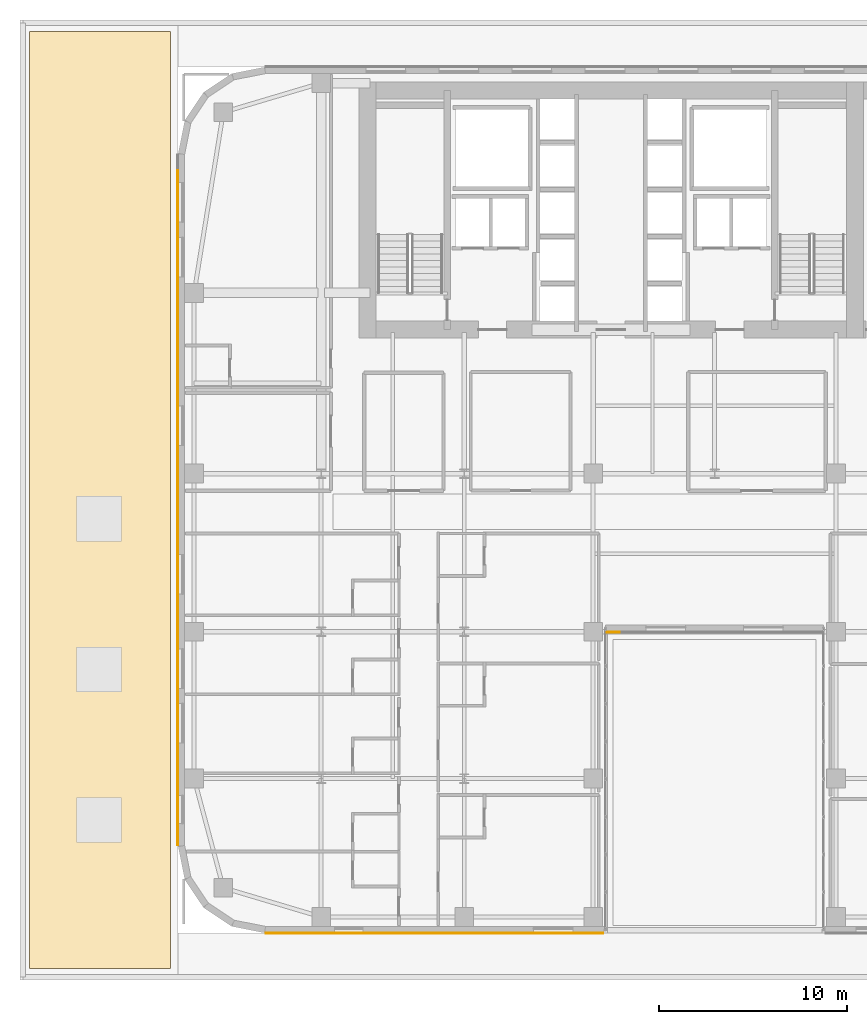
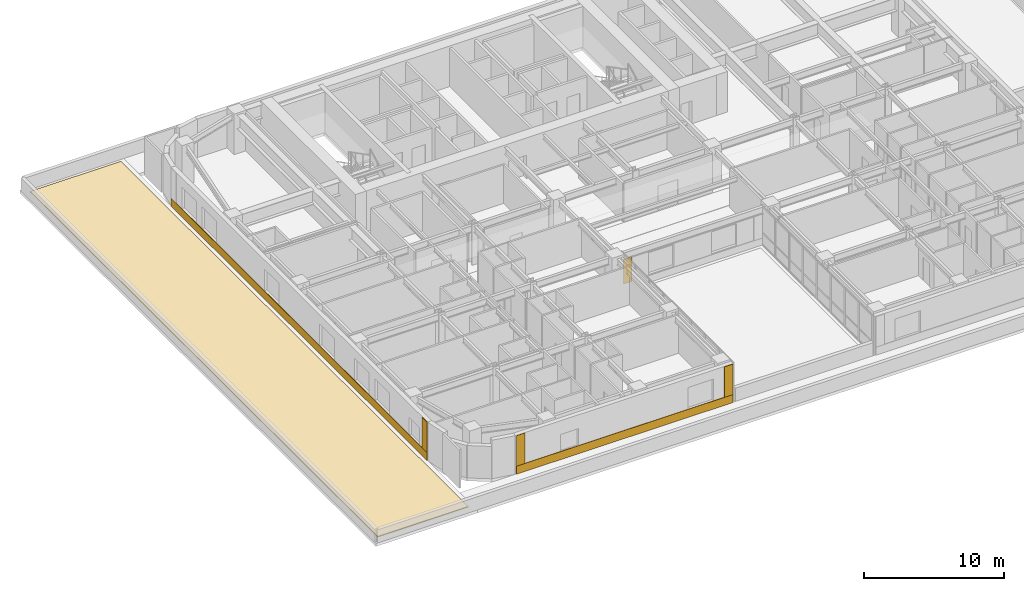
# One storey, part 20 of 25: 7 coverings.
"""IFC4 building model written with IfcOpenShell, lengths in metres."""

from ifc_helpers import new_model, si_unit, direction, frame, origin, place, context, subcontext, project, spatial, polyline, outline, extrude, material, layer, layer_set, type_object, element, save


model = new_model("IFC4")

# Units and contexts
model_context = context("Model", 3, precision=1e-05, world=origin(), true_north=direction((0.0, 1.0)))
body_context = subcontext(model_context, "Body", "Model", "MODEL_VIEW")
ifc_project = project(units=[si_unit("LENGTHUNIT", "METRE"), si_unit("AREAUNIT", "SQUARE_METRE"), si_unit("VOLUMEUNIT", "CUBIC_METRE"), si_unit("PLANEANGLEUNIT", "RADIAN"), si_unit("MASSUNIT", "GRAM", prefix="KILO")], contexts=[model_context])

# Site, building, storey
site_placement = place(None, origin())
site = spatial("IfcSite", under=ifc_project, at=site_placement, CompositionType="ELEMENT")
building_placement = place(site_placement, origin())
building = spatial("IfcBuilding", under=site, at=building_placement, Name="Tolvann Quenvar Hotel", CompositionType="ELEMENT")
storey_placement = place(building_placement, frame((0.0, 0.0, 32.0)))
storey = spatial("IfcBuildingStorey", under=building, at=storey_placement, Name="L06", CompositionType="ELEMENT", Elevation=32.0)

# Coverings
ifc_material_1 = material(Name="Kiln-fired red architectural face brick cladding", Category="masonry")
ifc_layer_1 = layer(ifc_material_1, 0.0400390625)
ifc_layer_set_1 = layer_set([ifc_layer_1], Name="Kiln-fired red architectural face brick cladding")
covering_type_1 = type_object("IfcCoveringType", Name="COV_CLAD_BRICK_40", PredefinedType="CLADDING", material=ifc_layer_set_1)
covering_1_placement = place(storey_placement, frame((0.0, 0.0, 0.699951171875)))
element("IfcCovering", 1, at=covering_1_placement, inside=storey, type_object=covering_type_1, Name="Brick Pier Cladding (L06-E04-P1)", PredefinedType="CLADDING", context=body_context, shape_type="SweptSolid", body=[
    extrude(outline(polyline([(4.667236328125, 0.0), (5.3671875, 0.0), (5.3671875, -0.0400390625), (4.667236328125, -0.0400390625), (4.667236328125, 0.0)])), origin(), (0.0, 0.0, 1.0), 2.670166015625),
])
covering_2_placement = place(storey_placement, frame((0.0, 0.0, 0.699951171875)))
element("IfcCovering", 2, at=covering_2_placement, inside=storey, type_object=covering_type_1, Name="Brick Pier Cladding (L06-E04-P2)", PredefinedType="CLADDING", context=body_context, shape_type="SweptSolid", body=[
    extrude(outline(polyline([(21.875, 0.0), (22.574951171875, 0.0), (22.574951171875, -0.0400390625), (21.875, -0.0400390625), (21.875, 0.0)])), origin(), (0.0, 0.0, 1.0), 2.670166015625),
])
covering_3_placement = place(storey_placement, frame((0.0, 0.0, 0.6044921875)))
element("IfcCovering", 3, at=covering_3_placement, inside=storey, type_object=covering_type_1, Name="Brick Pier Cladding (L06-E06-P1)", PredefinedType="CLADDING", context=body_context, shape_type="SweptSolid", body=[
    extrude(outline(polyline([(22.760009765625, 16.0), (23.4599609375, 16.0), (23.4599609375, 15.9599609375), (22.760009765625, 15.9599609375), (22.760009765625, 16.0)])), origin(), (0.0, 0.0, 1.0), 2.1435546875),
])
covering_4_placement = place(storey_placement, frame((0.0, 0.0, 0.699951171875)))
element("IfcCovering", 4, at=covering_4_placement, inside=storey, type_object=covering_type_1, Name="Brick Pier Cladding (L06-E23-P2)", PredefinedType="CLADDING", context=body_context, shape_type="SweptSolid", body=[
    extrude(outline(polyline([(0.0, 5.3671875), (0.0, 4.667236328125), (-0.0400390625, 4.667236328125), (-0.0400390625, 5.3671875), (0.0, 5.3671875)])), origin(), (0.0, 0.0, 1.0), 2.670166015625),
])
ifc_material_2 = material(Name="Moulded buff architectural terracotta spandrel cladding", Category="masonry")
ifc_layer_2 = layer(ifc_material_2, 0.0400390625)
ifc_layer_set_2 = layer_set([ifc_layer_2], Name="Moulded buff architectural terracotta spandrel cladding")
covering_type_2 = type_object("IfcCoveringType", Name="COV_CLAD_TERRA_40", PredefinedType="CLADDING", material=ifc_layer_set_2)
covering_5_placement = place(storey_placement, origin())
element("IfcCovering", 5, at=covering_5_placement, inside=storey, type_object=covering_type_2, Name="Terracotta Spandrel Cladding (L06-E04)", PredefinedType="CLADDING", context=body_context, shape_type="SweptSolid", body=[
    extrude(outline(polyline([(4.6572265625, 0.0), (22.5849609375, 0.0), (22.5849609375, -0.0400390625), (4.6572265625, -0.0400390625), (4.6572265625, 0.0)])), origin(), (0.0, 0.0, 1.0), 0.699951171875),
])
covering_6_placement = place(storey_placement, origin())
element("IfcCovering", 6, at=covering_6_placement, inside=storey, type_object=covering_type_2, Name="Terracotta Spandrel Cladding (L06-E23)", PredefinedType="CLADDING", context=body_context, shape_type="SweptSolid", body=[
    extrude(outline(polyline([(0.0, 41.3427734375), (0.0, 4.6572265625), (-0.0400390625, 4.6572265625), (-0.0400390625, 41.3427734375), (0.0, 41.3427734375)])), origin(), (0.0, 0.0, 1.0), 0.699951171875),
])
ifc_material_3 = material(Name="Elastomeric SBS waterproof roofing membrane and rigid insulation")
ifc_layer_3 = layer(ifc_material_3, 0.080078125)
ifc_layer_set_3 = layer_set([ifc_layer_3], Name="Elastomeric SBS waterproof roofing membrane and rigid insulation")
covering_type_3 = type_object("IfcCoveringType", Name="COV_ROOF_MEMB_80", PredefinedType="ROOFING", material=ifc_layer_set_3)
covering_7_placement = place(storey_placement, origin())
element("IfcCovering", 7, at=covering_7_placement, inside=storey, type_object=covering_type_3, Name="Waterproof Roof Membrane (ROOFING-L06-W)", PredefinedType="ROOFING", context=body_context, shape_type="SweptSolid", body=[
    extrude(outline(polyline([(-7.89990234375, -1.89990234375), (-0.39990234375, -1.89990234375), (-0.39990234375, 47.89990234375), (-7.89990234375, 47.89990234375), (-7.89990234375, -1.89990234375)])), origin(), (0.0, 0.0, 1.0), 0.080078125),
])

save(model, "model.ifc")
